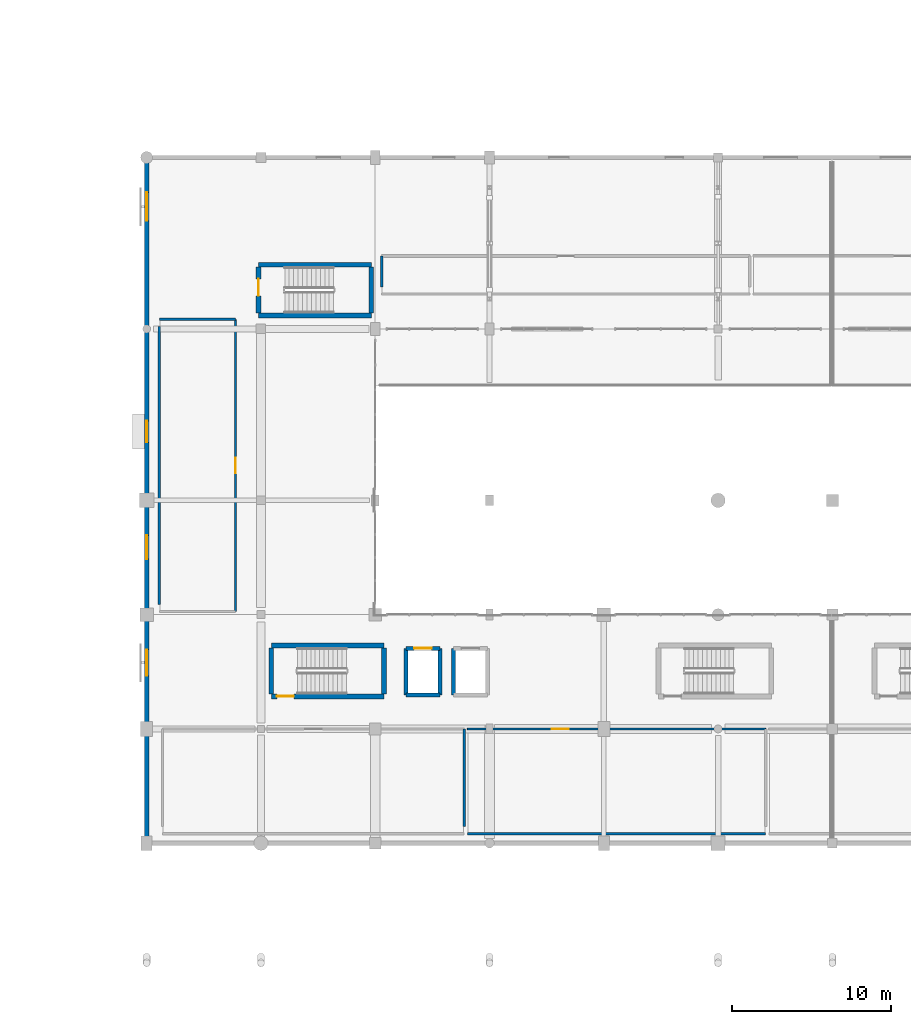
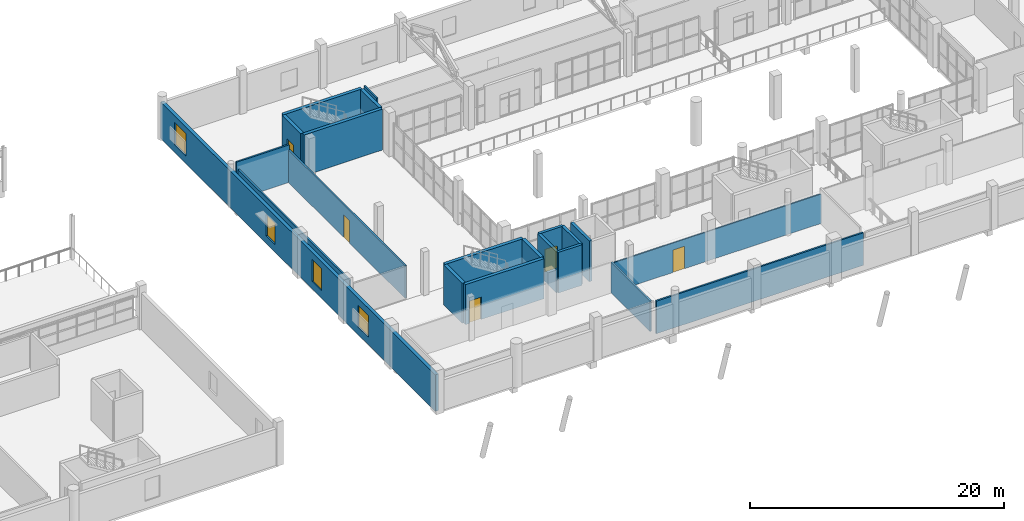
# One storey, part 67 of 92: 21 walls, 5 doors, 4 windows, 9 openings.
"""IFC4 building model written with IfcOpenShell, lengths in metres."""

from ifc_helpers import new_model, si_unit, direction, frame, frame_2d, origin, place, context, subcontext, project, spatial, rectangle, extrude, material, layer, layer_set, type_object, element, fill, save


model = new_model("IFC4")

# Units and contexts
model_context = context("Model", 3, precision=1e-05, world=origin(), true_north=direction((0.0, 1.0)))
body_context = subcontext(model_context, "Body", "Model", "MODEL_VIEW")
ifc_project = project(units=[si_unit("LENGTHUNIT", "METRE"), si_unit("AREAUNIT", "SQUARE_METRE"), si_unit("VOLUMEUNIT", "CUBIC_METRE"), si_unit("PLANEANGLEUNIT", "RADIAN"), si_unit("MASSUNIT", "GRAM", prefix="KILO")], contexts=[model_context])

# Site, building, storey
site_placement = place(None, origin())
site = spatial("IfcSite", under=ifc_project, at=site_placement, CompositionType="ELEMENT")
building_placement = place(site_placement, origin())
building = spatial("IfcBuilding", under=site, at=building_placement, Name="Solanera Park Tramway Depot", CompositionType="ELEMENT")
storey_placement = place(building_placement, frame((0.0, 0.0, 4.800048828125)))
storey = spatial("IfcBuildingStorey", under=building, at=storey_placement, Name="L01", CompositionType="ELEMENT", Elevation=4.800048828125)

# Walls
ifc_material_1 = material(Name="Concrete N32 (C32/40)", Category="concrete")
ifc_layer_1 = layer(ifc_material_1, 0.14990234375)
ifc_layer_set_1 = layer_set([ifc_layer_1], Name="Concrete N32 (C32/40)")
wall_type_1 = type_object("IfcWallType", Name="Acoustic Partition 150", PredefinedType="PARTITIONING", material=ifc_layer_set_1)
wall_1_placement = place(storey_placement, frame((128.0, 11.85009765625, 0.0), z_axis=(0.0, 0.0, 1.0), x_axis=(0.0, 1.0, 0.0)))
element("IfcWall", 1, at=wall_1_placement, inside=storey, type_object=wall_type_1, Name="Full-Cab Tramway Driving Simulator 1 Dividing Wall", PredefinedType="PARTITIONING", context=body_context, shape_type="SweptSolid", body=[
    extrude(rectangle(XDim=6.14990234375, YDim=0.14990234375, at=frame_2d((3.074951171875, 0.0))), origin(), (0.0, 0.0, 1.0), 2.921875),
])
wall_2_placement = place(storey_placement, frame((147.0, 11.39990234375, 0.0), z_axis=(0.0, 0.0, 1.0), x_axis=(-1.0, 0.0, 0.0)))
element("IfcWall", 2, at=wall_2_placement, inside=storey, type_object=wall_type_1, Name="Electric Bus Articulated Simulator 2 Dividing Wall", PredefinedType="PARTITIONING", context=body_context, shape_type="SweptSolid", body=[
    extrude(rectangle(XDim=18.800048828125, YDim=0.14990234375, at=frame_2d((9.39990234375, 0.0))), origin(), (0.0, 0.0, 1.0), 3.1220703125),
])
wall_3_placement = place(storey_placement, frame((108.800048828125, 43.800048828125, 0.0), z_axis=(0.0, 0.0, 1.0), x_axis=(1.0, 0.0, 0.0)))
element("IfcWall", 3, at=wall_3_placement, inside=storey, type_object=wall_type_1, Name="Crew Wellness and Fitness Studio Dividing Wall", PredefinedType="PARTITIONING", context=body_context, shape_type="SweptSolid", body=[
    extrude(rectangle(XDim=4.800048828125, YDim=0.14990234375, at=frame_2d((2.39990234375, 0.0))), origin(), (0.0, 0.0, 1.0), 3.599853515625),
])
wall_4_placement = place(storey_placement, frame((108.800048828125, 43.35009765625, 0.0), z_axis=(0.0, 0.0, 1.0), x_axis=(0.0, -1.0, 0.0)))
element("IfcWall", 4, at=wall_4_placement, inside=storey, type_object=wall_type_1, Name="Crew Wellness and Fitness Studio Dividing Wall", PredefinedType="PARTITIONING", context=body_context, shape_type="SweptSolid", body=[
    extrude(rectangle(XDim=17.5, YDim=0.14990234375, at=frame_2d((8.75, 0.0))), origin(), (0.0, 0.0, 1.0), 3.156982421875),
])

# Wall, opening, door
wall_5_placement = place(storey_placement, frame((113.60009765625, 25.39990234375, 0.0), z_axis=(0.0, 0.0, 1.0), x_axis=(0.0, 1.0, 0.0)))
wall_5 = element("IfcWall", 5, at=wall_5_placement, inside=storey, type_object=wall_type_1, Name="Crew Wellness and Fitness Studio Corridor Wall", PredefinedType="PARTITIONING", context=body_context, shape_type="SweptSolid", body=[
    extrude(rectangle(XDim=18.400146484375, YDim=0.14990234375, at=frame_2d((9.2001953125, 0.0))), origin(), (0.0, 0.0, 1.0), 3.1220703125),
])
opening_1_placement = place(wall_5_placement, frame((8.719970703125, 0.0, 0.0)))
opening_1 = element("IfcOpeningElement", 6, at=opening_1_placement, cuts=wall_5, Name="Opening ID-O1L", PredefinedType="OPENING", context=body_context, shape_type="SweptSolid", body=[
    extrude(rectangle(XDim=0.9599609375, YDim=2.14990234375, at=frame_2d((0.47998046875, 1.074951171875))), frame((0.0, 0.0849609375, 0.0), z_axis=(0.0, -1.0, 0.0), x_axis=(1.0, 0.0, 0.0)), (0.0, 0.0, 1.0), 0.169921875),
])
ifc_material_2 = material(Name="Fire-rated steel or solid-core hardwood door leaf", Category="steel")
door_type_1 = type_object("IfcDoorType", Name="Office Single Door L 960x2150", OperationType="SINGLE_SWING_LEFT", PredefinedType="DOOR", material=ifc_material_2)
door_1_placement = place(opening_1_placement, origin())
door_1 = element("IfcDoor", 7, at=door_1_placement, inside=storey, type_object=door_type_1, Name="Crew Wellness and Fitness Studio Door", OperationType="SINGLE_SWING_LEFT", OverallHeight=2.14990234375, OverallWidth=0.9599609375, PredefinedType="DOOR", context=body_context, shape_type="SweptSolid", body=[
    extrude(rectangle(XDim=0.9599609375, YDim=2.14990234375, at=frame_2d((0.47998046875, 1.074951171875))), frame((0.0, 0.02490234375, 0.0), z_axis=(0.0, -1.0, 0.0), x_axis=(1.0, 0.0, 0.0)), (0.0, 0.0, 1.0), 0.050048828125),
])
fill(opening_1, door_1)

# Wall
wall_6_placement = place(storey_placement, frame((122.800048828125, 47.800048828125, 0.0), z_axis=(0.0, 0.0, 1.0), x_axis=(0.0, -1.0, 0.0)))
element("IfcWall", 8, at=wall_6_placement, inside=storey, type_object=wall_type_1, Name="Courtyard View Crew Dining Mess Hall Dividing Wall", PredefinedType="PARTITIONING", context=body_context, shape_type="SweptSolid", body=[
    extrude(rectangle(XDim=1.949951171875, YDim=0.14990234375, at=frame_2d((0.97509765625, 0.0))), origin(), (0.0, 0.0, 1.0), 3.599853515625),
])

# Wall, opening, door
ifc_material_3 = material(Name="Concrete N40 (C40/50)", Category="concrete")
ifc_layer_2 = layer(ifc_material_3, 0.300048828125)
ifc_layer_set_2 = layer_set([ifc_layer_2], Name="Concrete N40 (C40/50)")
wall_type_2 = type_object("IfcWallType", Name="Core Shear Wall 300", PredefinedType="SHEAR", material=ifc_layer_set_2)
wall_7_placement = place(storey_placement, frame((115.85009765625, 20.050048828125, 0.0), z_axis=(0.0, 0.0, 1.0), x_axis=(1.0, 0.0, 0.0)))
wall_7 = element("IfcWall", 9, at=wall_7_placement, inside=storey, type_object=wall_type_2, Name="ST-01 L01 Shear Core Wall S", PredefinedType="SHEAR", context=body_context, shape_type="SweptSolid", body=[
    extrude(rectangle(XDim=7.099853515625, YDim=0.300048828125, at=frame_2d((3.5498046875, 0.0))), origin(), (0.0, 0.0, 1.0), 3.83984375),
])
opening_2_placement = place(wall_7_placement, frame((0.35009765625, 0.0, 0.0)))
opening_2 = element("IfcOpeningElement", 10, at=opening_2_placement, cuts=wall_7, Name="Opening FD-S1R", PredefinedType="OPENING", context=body_context, shape_type="SweptSolid", body=[
    extrude(rectangle(XDim=1.070068359375, YDim=2.14990234375, at=frame_2d((0.53515625, 1.074951171875))), frame((0.0, 0.16015625, 0.0), z_axis=(0.0, -1.0, 0.0), x_axis=(1.0, 0.0, 0.0)), (0.0, 0.0, 1.0), 0.320068359375),
])
ifc_material_4 = material(Name="Fire-rated steel or solid-core hardwood door leaf", Category="steel")
door_type_2 = type_object("IfcDoorType", Name="Stair Fire Door R 1070x2150", OperationType="SINGLE_SWING_RIGHT", PredefinedType="DOOR", material=ifc_material_4)
door_2_placement = place(opening_2_placement, origin())
door_2 = element("IfcDoor", 11, at=door_2_placement, inside=storey, type_object=door_type_2, Name="ST-01 L01 Stair Fire Door", OperationType="SINGLE_SWING_RIGHT", OverallHeight=2.14990234375, OverallWidth=1.070068359375, PredefinedType="DOOR", context=body_context, shape_type="SweptSolid", body=[
    extrude(rectangle(XDim=1.070068359375, YDim=2.14990234375, at=frame_2d((0.53515625, 1.074951171875))), frame((0.0, 0.02490234375, 0.0), z_axis=(0.0, -1.0, 0.0), x_axis=(1.0, 0.0, 0.0)), (0.0, 0.0, 1.0), 0.050048828125),
])
fill(opening_2, door_2)

# Walls
wall_8_placement = place(storey_placement, frame((122.949951171875, 23.25, 0.0), z_axis=(0.0, 0.0, 1.0), x_axis=(-1.0, 0.0, 0.0)))
element("IfcWall", 12, at=wall_8_placement, inside=storey, type_object=wall_type_2, Name="ST-01 L01 Shear Core Wall N", PredefinedType="SHEAR", context=body_context, shape_type="SweptSolid", body=[
    extrude(rectangle(XDim=7.099853515625, YDim=0.300048828125, at=frame_2d((3.5498046875, 0.0))), origin(), (0.0, 0.0, 1.0), 3.83984375),
])
for number, where, z_axis, x_axis, name in (
    (13, (122.949951171875, 20.199951171875, 0.0), (0.0, 0.0, 1.0), (0.0, 1.0, 0.0), "ST-01 L01 Shear Core Wall E"),
    (14, (115.85009765625, 23.10009765625, 0.0), (0.0, 0.0, 1.0), (0.0, -1.0, 0.0), "ST-01 L01 Shear Core Wall W"),
):
    element("IfcWall", number, at=place(storey_placement, frame(where, z_axis=z_axis, x_axis=x_axis)), inside=storey, type_object=wall_type_2, Name=name, PredefinedType="SHEAR", context=body_context, shape_type="SweptSolid", body=[
        extrude(rectangle(XDim=2.900146484375, YDim=0.300048828125, at=frame_2d((1.4501953125, 0.0))), origin(), (0.0, 0.0, 1.0), 3.83984375),
    ])
for number, where, z_axis, x_axis, name in (
    (15, (115.050048828125, 44.050048828125, 0.0), (0.0, 0.0, 1.0), (1.0, 0.0, 0.0), "ST-07 L01 Shear Core Wall S"),
    (16, (122.14990234375, 47.25, 0.0), (0.0, 0.0, 1.0), (-1.0, 0.0, 0.0), "ST-07 L01 Shear Core Wall N"),
):
    element("IfcWall", number, at=place(storey_placement, frame(where, z_axis=z_axis, x_axis=x_axis)), inside=storey, type_object=wall_type_2, Name=name, PredefinedType="SHEAR", context=body_context, shape_type="SweptSolid", body=[
        extrude(rectangle(XDim=7.099853515625, YDim=0.300048828125, at=frame_2d((3.5498046875, 0.0))), origin(), (0.0, 0.0, 1.0), 3.925048828125),
    ])
wall_9_placement = place(storey_placement, frame((122.14990234375, 44.199951171875, 0.0), z_axis=(0.0, 0.0, 1.0), x_axis=(0.0, 1.0, 0.0)))
element("IfcWall", 17, at=wall_9_placement, inside=storey, type_object=wall_type_2, Name="ST-07 L01 Shear Core Wall E", PredefinedType="SHEAR", context=body_context, shape_type="SweptSolid", body=[
    extrude(rectangle(XDim=2.900146484375, YDim=0.300048828125, at=frame_2d((1.4501953125, 0.0))), origin(), (0.0, 0.0, 1.0), 3.925048828125),
])

# Wall, opening, door
wall_10_placement = place(storey_placement, frame((115.050048828125, 47.10009765625, 0.0), z_axis=(0.0, 0.0, 1.0), x_axis=(0.0, -1.0, 0.0)))
wall_10 = element("IfcWall", 18, at=wall_10_placement, inside=storey, type_object=wall_type_2, Name="ST-07 L01 Shear Core Wall W", PredefinedType="SHEAR", context=body_context, shape_type="SweptSolid", body=[
    extrude(rectangle(XDim=2.900146484375, YDim=0.300048828125, at=frame_2d((1.4501953125, 0.0))), origin(), (0.0, 0.0, 1.0), 3.925048828125),
])
opening_3_placement = place(wall_10_placement, frame((0.75, 0.0, 0.0)))
opening_3 = element("IfcOpeningElement", 19, at=opening_3_placement, cuts=wall_10, Name="Opening FD-S1R", PredefinedType="OPENING", context=body_context, shape_type="SweptSolid", body=[
    extrude(rectangle(XDim=1.070068359375, YDim=2.14990234375, at=frame_2d((0.53515625, 1.074951171875))), frame((0.0, 0.16015625, 0.0), z_axis=(0.0, -1.0, 0.0), x_axis=(1.0, 0.0, 0.0)), (0.0, 0.0, 1.0), 0.320068359375),
])
door_3_placement = place(opening_3_placement, origin())
door_3 = element("IfcDoor", 20, at=door_3_placement, inside=storey, type_object=door_type_2, Name="ST-07 L01 Stair Fire Door", OperationType="SINGLE_SWING_RIGHT", OverallHeight=2.14990234375, OverallWidth=1.070068359375, PredefinedType="DOOR", context=body_context, shape_type="SweptSolid", body=[
    extrude(rectangle(XDim=1.070068359375, YDim=2.14990234375, at=frame_2d((0.53515625, 1.074951171875))), frame((0.0, 0.02490234375, 0.0), z_axis=(0.0, -1.0, 0.0), x_axis=(1.0, 0.0, 0.0)), (0.0, 0.0, 1.0), 0.050048828125),
])
fill(opening_3, door_3)

# Wall, openings, windows
ifc_material_5 = material(Name="Concrete N32 (C32/40)", Category="concrete")
ifc_layer_3 = layer(ifc_material_5, 0.300048828125)
ifc_layer_set_3 = layer_set([ifc_layer_3], Name="Concrete N32 (C32/40)")
wall_type_3 = type_object("IfcWallType", Name="Ext Stucco Wall 300", PredefinedType="SOLIDWALL", material=ifc_layer_set_3)
wall_11_placement = place(storey_placement, frame((108.0, 54.0, 0.0), z_axis=(0.0, 0.0, 1.0), x_axis=(0.0, -1.0, 0.0)))
wall_11 = element("IfcWall", 21, at=wall_11_placement, inside=storey, type_object=wall_type_3, Name="L01 Exterior Wall #024", PredefinedType="SOLIDWALL", context=body_context, shape_type="SweptSolid", body=[
    extrude(rectangle(XDim=43.199951171875, YDim=0.300048828125, at=frame_2d((21.60009765625, 0.0))), origin(), (0.0, 0.0, 1.0), 3.5),
])
opening_4_placement = place(wall_11_placement, frame((2.199951171875, 0.0, 0.719970703125)))
opening_4 = element("IfcOpeningElement", 22, at=opening_4_placement, cuts=wall_11, Name="Opening WN-A18", PredefinedType="OPENING", context=body_context, shape_type="SweptSolid", body=[
    extrude(rectangle(XDim=1.800048828125, YDim=2.14990234375, at=frame_2d((0.89990234375, 1.074951171875))), frame((0.0, 0.16015625, 0.0), z_axis=(0.0, -1.0, 0.0), x_axis=(1.0, 0.0, 0.0)), (0.0, 0.0, 1.0), 0.320068359375),
])
opening_5_placement = place(wall_11_placement, frame((16.60009765625, 0.0, 0.719970703125)))
opening_5 = element("IfcOpeningElement", 23, at=opening_5_placement, cuts=wall_11, Name="Opening WN-A13", PredefinedType="OPENING", context=body_context, shape_type="SweptSolid", body=[
    extrude(rectangle(XDim=1.35009765625, YDim=2.050048828125, at=frame_2d((0.675048828125, 1.02490234375))), frame((0.0, 0.16015625, 0.0), z_axis=(0.0, -1.0, 0.0), x_axis=(1.0, 0.0, 0.0)), (0.0, 0.0, 1.0), 0.320068359375),
])
opening_6_placement = place(wall_11_placement, frame((23.800048828125, 0.0, 0.719970703125)))
opening_6 = element("IfcOpeningElement", 24, at=opening_6_placement, cuts=wall_11, Name="Opening WN-A15", PredefinedType="OPENING", context=body_context, shape_type="SweptSolid", body=[
    extrude(rectangle(XDim=1.5, YDim=2.10009765625, at=frame_2d((0.75, 1.050048828125))), frame((0.0, 0.16015625, 0.0), z_axis=(0.0, -1.0, 0.0), x_axis=(1.0, 0.0, 0.0)), (0.0, 0.0, 1.0), 0.320068359375),
])
opening_7_placement = place(wall_11_placement, frame((31.0, 0.0, 0.719970703125)))
opening_7 = element("IfcOpeningElement", 25, at=opening_7_placement, cuts=wall_11, Name="Opening WN-A16", PredefinedType="OPENING", context=body_context, shape_type="SweptSolid", body=[
    extrude(rectangle(XDim=1.64990234375, YDim=2.10009765625, at=frame_2d((0.824951171875, 1.050048828125))), frame((0.0, 0.16015625, 0.0), z_axis=(0.0, -1.0, 0.0), x_axis=(1.0, 0.0, 0.0)), (0.0, 0.0, 1.0), 0.320068359375),
])
ifc_material_6 = material(Name="Powder-coated aluminium frame with solar-control double glazing", Category="aluminium")
window_type_1 = type_object("IfcWindowType", Name="Deep-Reveal Arched Window 1350x2050", PartitioningType="SINGLE_PANEL", PredefinedType="WINDOW", material=ifc_material_6)
window_1_placement = place(opening_5_placement, origin())
window_1 = element("IfcWindow", 26, at=window_1_placement, inside=storey, type_object=window_type_1, Name="L01 Deep-Reveal Arched Window 1350x2050 #0114", OverallHeight=2.050048828125, OverallWidth=1.35009765625, PartitioningType="SINGLE_PANEL", PredefinedType="WINDOW", context=body_context, shape_type="SweptSolid", body=[
    extrude(rectangle(XDim=1.35009765625, YDim=2.050048828125, at=frame_2d((0.675048828125, 1.02490234375))), frame((0.0, 0.030029296875, 0.0), z_axis=(0.0, -1.0, 0.0), x_axis=(1.0, 0.0, 0.0)), (0.0, 0.0, 1.0), 0.06005859375),
])
fill(opening_5, window_1)
ifc_material_7 = material(Name="Powder-coated aluminium frame with solar-control double glazing", Category="aluminium")
window_type_2 = type_object("IfcWindowType", Name="Deep-Reveal Arched Window 1500x2100", PartitioningType="SINGLE_PANEL", PredefinedType="WINDOW", material=ifc_material_7)
window_2_placement = place(opening_6_placement, origin())
window_2 = element("IfcWindow", 27, at=window_2_placement, inside=storey, type_object=window_type_2, Name="L01 Deep-Reveal Arched Window 1500x2100 #0115", OverallHeight=2.10009765625, OverallWidth=1.5, PartitioningType="SINGLE_PANEL", PredefinedType="WINDOW", context=body_context, shape_type="SweptSolid", body=[
    extrude(rectangle(XDim=1.5, YDim=2.10009765625, at=frame_2d((0.75, 1.050048828125))), frame((0.0, 0.030029296875, 0.0), z_axis=(0.0, -1.0, 0.0), x_axis=(1.0, 0.0, 0.0)), (0.0, 0.0, 1.0), 0.06005859375),
])
fill(opening_6, window_2)
ifc_material_8 = material(Name="Powder-coated aluminium frame with solar-control double glazing", Category="aluminium")
window_type_3 = type_object("IfcWindowType", Name="Deep-Reveal Arched Window 1650x2100", PartitioningType="SINGLE_PANEL", PredefinedType="WINDOW", material=ifc_material_8)
window_3_placement = place(opening_7_placement, origin())
window_3 = element("IfcWindow", 28, at=window_3_placement, inside=storey, type_object=window_type_3, Name="L01 Deep-Reveal Arched Window 1650x2100 #0116", OverallHeight=2.10009765625, OverallWidth=1.64990234375, PartitioningType="SINGLE_PANEL", PredefinedType="WINDOW", context=body_context, shape_type="SweptSolid", body=[
    extrude(rectangle(XDim=1.64990234375, YDim=2.10009765625, at=frame_2d((0.824951171875, 1.050048828125))), frame((0.0, 0.030029296875, 0.0), z_axis=(0.0, -1.0, 0.0), x_axis=(1.0, 0.0, 0.0)), (0.0, 0.0, 1.0), 0.06005859375),
])
fill(opening_7, window_3)
ifc_material_9 = material(Name="Powder-coated aluminium frame with solar-control double glazing", Category="aluminium")
window_type_4 = type_object("IfcWindowType", Name="Deep-Reveal Arched Window 1800x2150", PartitioningType="SINGLE_PANEL", PredefinedType="WINDOW", material=ifc_material_9)
window_4_placement = place(opening_4_placement, origin())
window_4 = element("IfcWindow", 29, at=window_4_placement, inside=storey, type_object=window_type_4, Name="L01 Deep-Reveal Arched Window 1800x2150 #0113", OverallHeight=2.14990234375, OverallWidth=1.800048828125, PartitioningType="SINGLE_PANEL", PredefinedType="WINDOW", context=body_context, shape_type="SweptSolid", body=[
    extrude(rectangle(XDim=1.800048828125, YDim=2.14990234375, at=frame_2d((0.89990234375, 1.074951171875))), frame((0.0, 0.030029296875, 0.0), z_axis=(0.0, -1.0, 0.0), x_axis=(1.0, 0.0, 0.0)), (0.0, 0.0, 1.0), 0.06005859375),
])
fill(opening_4, window_4)

# Wall
ifc_material_10 = material(Name="Concrete N40 (C40/50)", Category="concrete")
ifc_layer_4 = layer(ifc_material_10, 0.25)
ifc_layer_set_4 = layer_set([ifc_layer_4], Name="Concrete N40 (C40/50)")
wall_type_4 = type_object("IfcWallType", Name="Lift Shaft Shear Wall 250", PredefinedType="SHEAR", material=ifc_layer_set_4)
wall_12_placement = place(storey_placement, frame((124.324951171875, 20.125, 0.0), z_axis=(0.0, 0.0, 1.0), x_axis=(1.0, 0.0, 0.0)))
element("IfcWall", 30, at=wall_12_placement, inside=storey, type_object=wall_type_4, Name="LF-01 L01 Lift Shaft Wall S", PredefinedType="SHEAR", context=body_context, shape_type="SweptSolid", body=[
    extrude(rectangle(XDim=2.150146484375, YDim=0.25, at=frame_2d((1.0751953125, 0.0))), origin(), (0.0, 0.0, 1.0), 3.89990234375),
])

# Wall, opening, door
wall_13_placement = place(storey_placement, frame((126.47509765625, 23.074951171875, 0.0), z_axis=(0.0, 0.0, 1.0), x_axis=(-1.0, 0.0, 0.0)))
wall_13 = element("IfcWall", 31, at=wall_13_placement, inside=storey, type_object=wall_type_4, Name="LF-01 L01 Lift Shaft Wall N", PredefinedType="SHEAR", context=body_context, shape_type="SweptSolid", body=[
    extrude(rectangle(XDim=2.150146484375, YDim=0.25, at=frame_2d((1.0751953125, 0.0))), origin(), (0.0, 0.0, 1.0), 3.89990234375),
])
opening_8_placement = place(wall_13_placement, frame((0.52490234375, 0.0, 0.0)))
opening_8 = element("IfcOpeningElement", 32, at=opening_8_placement, cuts=wall_13, Name="Opening LD-01", PredefinedType="OPENING", context=body_context, shape_type="SweptSolid", body=[
    extrude(rectangle(XDim=1.10009765625, YDim=2.14990234375, at=frame_2d((0.550048828125, 1.074951171875))), frame((0.0, 0.135009765625, 0.0), z_axis=(0.0, -1.0, 0.0), x_axis=(1.0, 0.0, 0.0)), (0.0, 0.0, 1.0), 0.27001953125),
])
ifc_material_11 = material(Name="Fire-rated steel or solid-core hardwood door leaf", Category="steel")
door_type_3 = type_object("IfcDoorType", Name="Lift Landing Sliding Door 1100x2150", OperationType="SLIDING_TO_LEFT", PredefinedType="DOOR", material=ifc_material_11)
door_4_placement = place(opening_8_placement, origin())
door_4 = element("IfcDoor", 33, at=door_4_placement, inside=storey, type_object=door_type_3, Name="LF-01 L01 Lift Landing Sliding Door", OperationType="SLIDING_TO_LEFT", OverallHeight=2.14990234375, OverallWidth=1.10009765625, PredefinedType="DOOR", context=body_context, shape_type="SweptSolid", body=[
    extrude(rectangle(XDim=1.10009765625, YDim=2.14990234375, at=frame_2d((0.550048828125, 1.074951171875))), frame((0.0, 0.02490234375, 0.0), z_axis=(0.0, -1.0, 0.0), x_axis=(1.0, 0.0, 0.0)), (0.0, 0.0, 1.0), 0.050048828125),
])
fill(opening_8, door_4)

# Walls
for number, where, z_axis, x_axis, name in (
    (34, (124.324951171875, 23.074951171875, 0.0), (0.0, 0.0, 1.0), (0.0, -1.0, 0.0), "LF-01 L01 Lift Shaft Wall W"),
    (35, (126.47509765625, 20.125, 0.0), (0.0, 0.0, 1.0), (0.0, 1.0, 0.0), "LF-01 L01 Lift Shaft Wall E"),
    (36, (127.324951171875, 23.074951171875, 0.0), (0.0, 0.0, 1.0), (0.0, -1.0, 0.0), "LF-02 L01 Lift Shaft Wall W"),
):
    element("IfcWall", number, at=place(storey_placement, frame(where, z_axis=z_axis, x_axis=x_axis)), inside=storey, type_object=wall_type_4, Name=name, PredefinedType="SHEAR", context=body_context, shape_type="SweptSolid", body=[
        extrude(rectangle(XDim=2.949951171875, YDim=0.25, at=frame_2d((1.47509765625, 0.0))), origin(), (0.0, 0.0, 1.0), 3.89990234375),
    ])

# Wall, opening, door
ifc_material_12 = material(Name="Concrete N32 (C32/40)", Category="concrete")
ifc_layer_5 = layer(ifc_material_12, 0.110107421875)
ifc_layer_set_5 = layer_set([ifc_layer_5], Name="Concrete N32 (C32/40)")
wall_type_5 = type_object("IfcWallType", Name="Workshop Glazed Screen 110", PredefinedType="PARTITIONING", material=ifc_layer_set_5)
wall_14_placement = place(storey_placement, frame((128.199951171875, 18.0, 0.0), z_axis=(0.0, 0.0, 1.0), x_axis=(1.0, 0.0, 0.0)))
wall_14 = element("IfcWall", 37, at=wall_14_placement, inside=storey, type_object=wall_type_5, Name="Electric Bus Articulated Simulator 2 Corridor Wall", PredefinedType="PARTITIONING", context=body_context, shape_type="SweptSolid", body=[
    extrude(rectangle(XDim=18.800048828125, YDim=0.110107421875, at=frame_2d((9.39990234375, 0.0))), origin(), (0.0, 0.0, 1.0), 2.822021484375),
])
opening_9_placement = place(wall_14_placement, frame((5.322021484375, 0.0, 0.0)))
opening_9 = element("IfcOpeningElement", 38, at=opening_9_placement, cuts=wall_14, Name="Opening ID-T1R", PredefinedType="OPENING", context=body_context, shape_type="SweptSolid", body=[
    extrude(rectangle(XDim=1.06005859375, YDim=2.14990234375, at=frame_2d((0.530029296875, 1.074951171875))), frame((0.0, 0.06494140625, 0.0), z_axis=(0.0, -1.0, 0.0), x_axis=(1.0, 0.0, 0.0)), (0.0, 0.0, 1.0), 0.130126953125),
])
ifc_material_13 = material(Name="Fire-rated steel or solid-core hardwood door leaf", Category="steel")
door_type_4 = type_object("IfcDoorType", Name="Training Room Door R 1060x2150", OperationType="SINGLE_SWING_RIGHT", PredefinedType="DOOR", material=ifc_material_13)
door_5_placement = place(opening_9_placement, origin())
door_5 = element("IfcDoor", 39, at=door_5_placement, inside=storey, type_object=door_type_4, Name="Electric Bus Articulated Simulator 2 Door", OperationType="SINGLE_SWING_RIGHT", OverallHeight=2.14990234375, OverallWidth=1.06005859375, PredefinedType="DOOR", context=body_context, shape_type="SweptSolid", body=[
    extrude(rectangle(XDim=1.06005859375, YDim=2.14990234375, at=frame_2d((0.530029296875, 1.074951171875))), frame((0.0, 0.02490234375, 0.0), z_axis=(0.0, -1.0, 0.0), x_axis=(1.0, 0.0, 0.0)), (0.0, 0.0, 1.0), 0.050048828125),
])
fill(opening_9, door_5)

save(model, "model.ifc")
